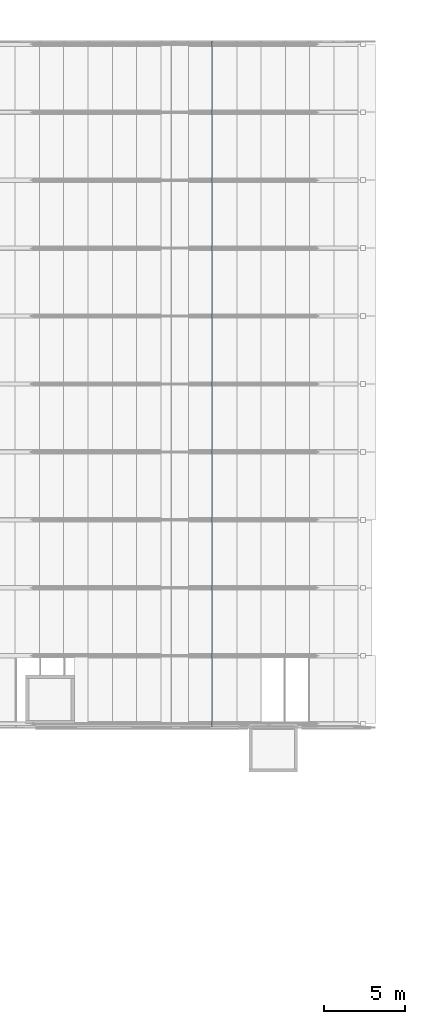
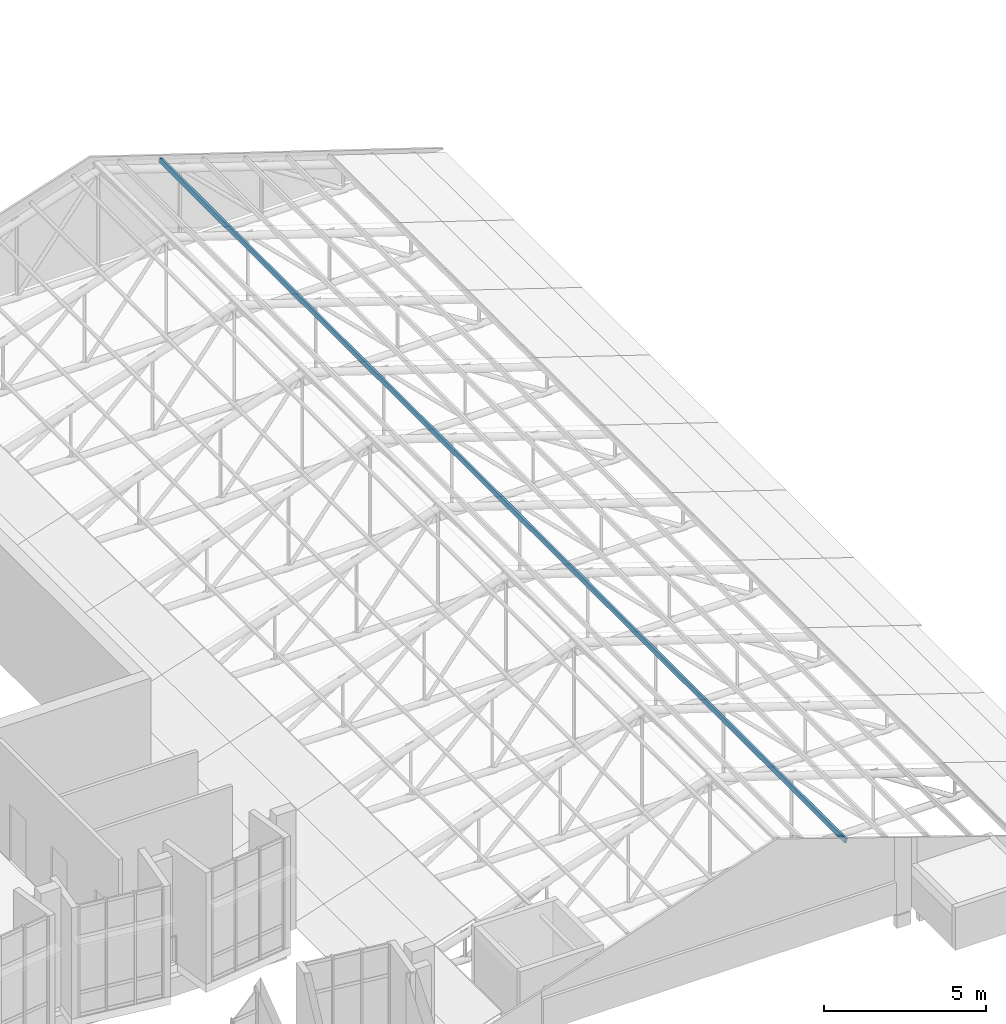
# One storey, part 32 of 95: 1 member.
"""IFC4 building model written with IfcOpenShell, lengths in metres."""

from ifc_helpers import new_model, si_unit, direction, frame, origin, origin_2d, place, context, subcontext, project, spatial, hollow_rectangle, extrude, material, material_profile, profile_set, type_object, element, save


model = new_model("IFC4")

# Units and contexts
model_context = context("Model", 3, precision=1e-05, world=origin(), true_north=direction((0.0, 1.0)))
body_context = subcontext(model_context, "Body", "Model", "MODEL_VIEW")
ifc_project = project(units=[si_unit("LENGTHUNIT", "METRE"), si_unit("AREAUNIT", "SQUARE_METRE"), si_unit("VOLUMEUNIT", "CUBIC_METRE"), si_unit("PLANEANGLEUNIT", "RADIAN"), si_unit("MASSUNIT", "GRAM", prefix="KILO")], contexts=[model_context])

# Site, building, storey
site_placement = place(None, origin())
site = spatial("IfcSite", under=ifc_project, at=site_placement, CompositionType="ELEMENT")
building_placement = place(site_placement, origin())
building = spatial("IfcBuilding", under=site, at=building_placement, Name="Kiln Court Media Centre", CompositionType="ELEMENT")
storey_placement = place(building_placement, frame((0.0, 0.0, 24.60009765625)))
storey = spatial("IfcBuildingStorey", under=building, at=storey_placement, Name="L05", CompositionType="ELEMENT", Elevation=24.60009765625)

# Member
ifc_material = material(Name="Steel ASTM A500 Gr C", Category="steel")
ifc_material_profile = material_profile(ifc_material, hollow_rectangle(XDim=0.10009765625, YDim=0.14990234375, WallThickness=0.008056640625, at=origin_2d()), Name="RHS 150x100x8.0")
ifc_profile_set = profile_set([ifc_material_profile], Name="Steel ASTM A500 Gr C")
member_type = type_object("IfcMemberType", Name="Steel ASTM A500 Gr C RHS 150x100x8.0 roof purlin", PredefinedType="PURLIN", material=ifc_profile_set)
member_placement = place(storey_placement, frame((48.714599609375, 25.005615234375, 3.239501953125), z_axis=(0.0, 1.0, 0.0), x_axis=(-0.951056516295, 0.0, 0.309016994375)))
element("IfcMember", 1, at=member_placement, inside=storey, type_object=member_type, Name="foyer roof east purlin 7 roof purlin", PredefinedType="PURLIN", context=body_context, shape_type="SweptSolid", body=[
    extrude(hollow_rectangle(XDim=0.10009765625, YDim=0.14990234375, WallThickness=0.008056640625, at=origin_2d()), origin(), (0.0, 0.0, 1.0), 42.388916015625),
])

save(model, "model.ifc")
